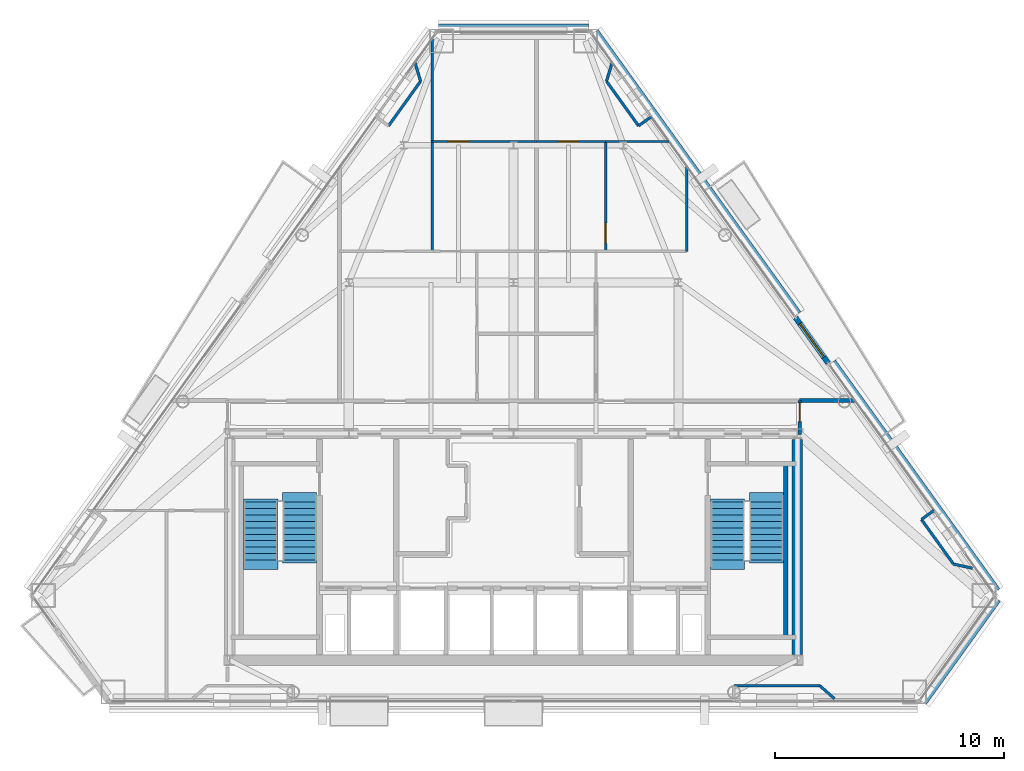
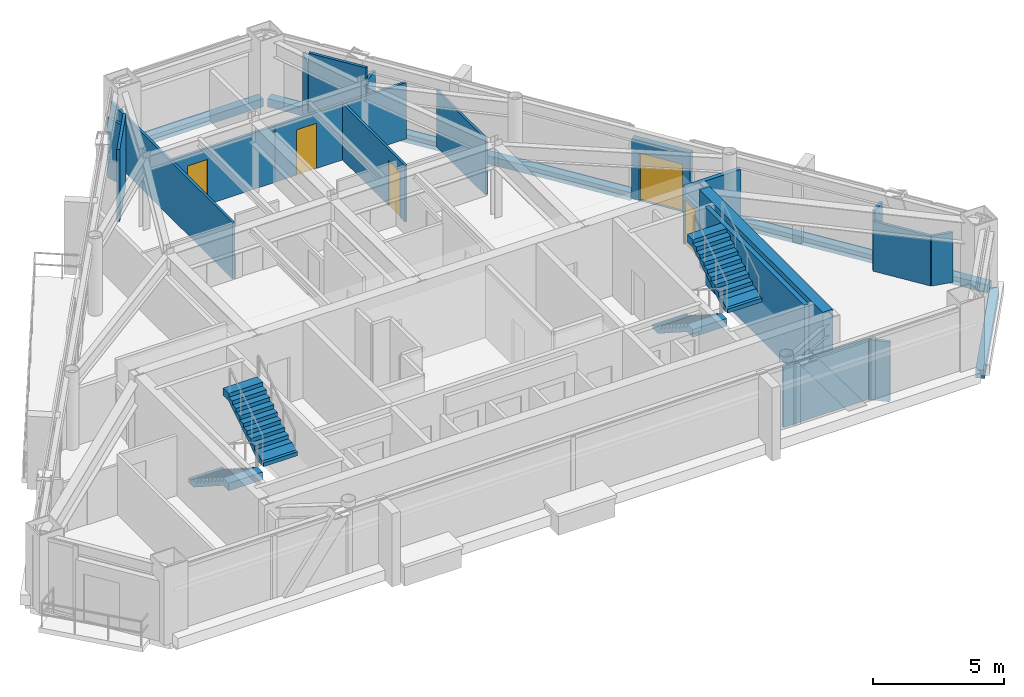
# One storey, part 9 of 11: 25 walls, 5 doors, 4 stair flights, 5 openings, 2 elements without a shape of their own.
"""IFC4 building model written with IfcOpenShell, lengths in metres."""

from ifc_helpers import new_model, si_unit, direction, frame, frame_2d, origin, place, context, subcontext, project, spatial, polyline, rectangle, outline, extrude, material, layer, layer_set, type_object, element, fill, aggregate, save


model = new_model("IFC4")

# Units and contexts
model_context = context("Model", 3, precision=1e-05, world=origin(), true_north=direction((0.0, 1.0)))
body_context = subcontext(model_context, "Body", "Model", "MODEL_VIEW")
ifc_project = project(units=[si_unit("LENGTHUNIT", "METRE"), si_unit("AREAUNIT", "SQUARE_METRE"), si_unit("VOLUMEUNIT", "CUBIC_METRE"), si_unit("PLANEANGLEUNIT", "RADIAN"), si_unit("MASSUNIT", "GRAM", prefix="KILO")], contexts=[model_context])

# Site, building, storey
site_placement = place(None, origin())
site = spatial("IfcSite", under=ifc_project, at=site_placement, CompositionType="ELEMENT")
building_placement = place(site_placement, origin())
building = spatial("IfcBuilding", under=site, at=building_placement, Name="Talgorran Terracotta Tower", CompositionType="ELEMENT")
storey_placement = place(building_placement, frame((0.0, 0.0, 210.89990234375)))
storey = spatial("IfcBuildingStorey", under=building, at=storey_placement, Name="L55", CompositionType="ELEMENT", Elevation=210.89990234375)

# Wall, opening, door
ifc_material_1 = material(Name="Concrete C40/50", Category="concrete")
ifc_layer_1 = layer(ifc_material_1, 0.239990234375, Name="WT_BALCONY_SPAND")
ifc_layer_set_1 = layer_set([ifc_layer_1], Name="Concrete C40/50")
wall_type_1 = type_object("IfcWallType", Name="WT_BALCONY_SPAND", PredefinedType="STANDARD", material=ifc_layer_set_1)
wall_1_placement = place(storey_placement, frame((13.747314453125, -1.119873046875, -0.014892578125), z_axis=(0.0, 0.0, 1.0), x_axis=(-0.58349791381, 0.812114637585, 0.0)))
wall_1 = element("IfcWall", 1, at=wall_1_placement, inside=storey, type_object=wall_type_1, Name="WL-L55-BALP-BAL-NE", PredefinedType="STANDARD", context=body_context, shape_type="SweptSolid", body=[
    extrude(rectangle(XDim=2.440185546875, YDim=0.239990234375, at=frame_2d((1.22021484375, 0.0))), origin(), (0.0, 0.0, 1.0), 2.802001953125),
])
opening_1_placement = place(wall_1_placement, frame((0.320068359375, 0.0, 0.014892578125)))
opening_1 = element("IfcOpeningElement", 2, at=opening_1_placement, cuts=wall_1, Name="Opening D-BAL-L55-1", PredefinedType="OPENING", context=body_context, shape_type="SweptSolid", body=[
    extrude(rectangle(XDim=1.806048828125, YDim=2.203951171875, at=frame_2d((0.89990234375, 1.10205078125))), frame((0.0, 0.1298828125, 0.0), z_axis=(0.0, -1.0, 0.0), x_axis=(1.0, 0.0, 0.0)), (0.0, 0.0, 1.0), 0.260009765625),
])
ifc_material_2 = material(Name="Thermally Broken Aluminium", Category="aluminium")
door_type_1 = type_object("IfcDoorType", Name="DT_BALC_1800", OperationType="SLIDING_TO_LEFT", PredefinedType="DOOR", material=ifc_material_2)
door_1_placement = place(opening_1_placement, origin())
door_1 = element("IfcDoor", 3, at=door_1_placement, inside=storey, type_object=door_type_1, Name="DR-L55-BAL-BAL-NE", OperationType="SLIDING_TO_LEFT", OverallHeight=2.199951171875, OverallWidth=1.800048828125, PredefinedType="DOOR", context=body_context, shape_type="SweptSolid", body=[
    extrude(rectangle(XDim=1.800048828125, YDim=2.199951171875, at=frame_2d((0.89990234375, 1.10009765625))), frame((0.0, 0.02490234375, 0.0), z_axis=(0.0, -1.0, 0.0), x_axis=(1.0, 0.0, 0.0)), (0.0, 0.0, 1.0), 0.050048828125),
])
fill(opening_1, door_1)

# Walls
ifc_material_3 = material(Name="Concrete C50/60", Category="concrete")
ifc_layer_2 = layer(ifc_material_3, 0.199951171875, Name="WT_CORE_200")
ifc_layer_set_2 = layer_set([ifc_layer_2], Name="Concrete C50/60")
wall_type_2 = type_object("IfcWallType", Name="WT_CORE_200", PredefinedType="SOLIDWALL", material=ifc_layer_set_2)
wall_2_placement = place(storey_placement, frame((11.89990234375, -13.10009765625, 0.0), z_axis=(0.0, 0.0, 1.0), x_axis=(0.0, 1.0, 0.0)))
element("IfcWall", 4, at=wall_2_placement, inside=storey, type_object=wall_type_2, Name="WL-L55-CW-ST2-E", PredefinedType="SOLIDWALL", context=body_context, shape_type="SweptSolid", body=[
    extrude(rectangle(XDim=7.580078125, YDim=0.199951171875, at=frame_2d((3.7900390625, 0.0))), origin(), (0.0, 0.0, 1.0), 3.60009765625),
])
ifc_material_4 = material(Name="Concrete C65/80", Category="concrete")
ifc_layer_3 = layer(ifc_material_4, 0.449951171875, Name="WT_CORE_EXT")
ifc_layer_set_3 = layer_set([ifc_layer_3], Name="Concrete C65/80")
wall_type_3 = type_object("IfcWallType", Name="WT_CORE_EXT", PredefinedType="SHEAR", material=ifc_layer_set_3)
wall_3_placement = place(storey_placement, frame((12.39990234375, -13.85009765625, 0.0), z_axis=(0.0, 0.0, 1.0), x_axis=(0.0, 1.0, 0.0)))
element("IfcWall", 5, at=wall_3_placement, inside=storey, type_object=wall_type_3, Name="WL-L55-CW-OUT-E", PredefinedType="SHEAR", context=body_context, shape_type="SweptSolid", body=[
    extrude(rectangle(XDim=9.400146484375, YDim=0.449951171875, at=frame_2d((4.7001953125, 0.0))), origin(), (0.0, 0.0, 1.0), 3.60009765625),
])

# Wall, opening, door
ifc_material_5 = material(Name="Fire-Rated Steel Stud Plasterboard", Category="steel")
ifc_layer_4 = layer(ifc_material_5, 0.14990234375, Name="WT_FIRE_150")
ifc_layer_set_4 = layer_set([ifc_layer_4], Name="Fire-Rated Steel Stud Plasterboard")
wall_type_4 = type_object("IfcWallType", Name="WT_FIRE_150", PredefinedType="PARTITIONING", material=ifc_layer_set_4)
wall_4_placement = place(storey_placement, frame((12.5, -4.239990234375, 0.0), z_axis=(0.0, 0.0, 1.0), x_axis=(0.0, 1.0, 0.0)))
wall_4 = element("IfcWall", 6, at=wall_4_placement, inside=storey, type_object=wall_type_4, Name="WL-L55-W-L55-R02", PredefinedType="PARTITIONING", context=body_context, shape_type="SweptSolid", body=[
    extrude(rectangle(XDim=1.47998046875, YDim=0.14990234375, at=frame_2d((0.739990234375, 0.0))), origin(), (0.0, 0.0, 1.0), 2.320068359375),
])
opening_2_placement = place(wall_4_placement, frame((0.56005859375, 0.0, 0.0)))
opening_2 = element("IfcOpeningElement", 7, at=opening_2_placement, cuts=wall_4, Name="Opening DR-L55-R04", PredefinedType="OPENING", context=body_context, shape_type="SweptSolid", body=[
    extrude(rectangle(XDim=0.826068359375, YDim=2.10409765625, at=frame_2d((0.41015625, 1.052001953125))), frame((0.0, 0.0849609375, 0.0), z_axis=(0.0, -1.0, 0.0), x_axis=(1.0, 0.0, 0.0)), (0.0, 0.0, 1.0), 0.169921875),
])
ifc_material_6 = material(Name="Moisture-Resistant Solid Timber", Category="wood")
door_type_2 = type_object("IfcDoorType", Name="DT_INT_820", OperationType="NOTDEFINED", PredefinedType="DOOR", material=ifc_material_6)
door_2_placement = place(opening_2_placement, origin())
door_2 = element("IfcDoor", 8, at=door_2_placement, inside=storey, type_object=door_type_2, Name="DR-L55-R04", OperationType="SINGLE_SWING_RIGHT", OverallHeight=2.10009765625, OverallWidth=0.820068359375, PredefinedType="DOOR", context=body_context, shape_type="SweptSolid", body=[
    extrude(rectangle(XDim=0.820068359375, YDim=2.10009765625, at=frame_2d((0.41015625, 1.050048828125))), frame((0.0, 0.02490234375, 0.0), z_axis=(0.0, -1.0, 0.0), x_axis=(1.0, 0.0, 0.0)), (0.0, 0.0, 1.0), 0.050048828125),
])
fill(opening_2, door_2)

# Walls
ifc_layer_5 = layer(ifc_material_1, 0.219970703125, Name="WT_PARAPET_RC")
ifc_layer_set_5 = layer_set([ifc_layer_5], Name="Concrete C40/50")
wall_type_5 = type_object("IfcWallType", Name="WT_PARAPET_RC", PredefinedType="PARAPET", material=ifc_layer_set_5)
wall_5_placement = place(storey_placement, frame((17.892578125, -15.925048828125, -0.199951171875), z_axis=(0.0, 0.0, 1.0), x_axis=(0.583537933591, 0.812085882195, 0.0)))
element("IfcWall", 9, at=wall_5_placement, inside=storey, type_object=wall_type_5, Name="L55 Striped Portal Precast Cornice F2", PredefinedType="PARAPET", context=body_context, shape_type="SweptSolid", body=[
    extrude(rectangle(XDim=5.53759765625, YDim=0.360107421875, at=frame_2d((2.768798828125, 0.0))), origin(), (0.0, 0.0, 1.0), 0.380126953125),
])
wall_6_placement = place(storey_placement, frame((21.100830078125, -11.078857421875, -0.199951171875), z_axis=(0.0, 0.0, 1.0), x_axis=(-0.583558674799, 0.81207097785, 0.0)))
element("IfcWall", 10, at=wall_6_placement, inside=storey, type_object=wall_type_5, Name="L55 Striped Portal Precast Cornice F40", PredefinedType="PARAPET", context=body_context, shape_type="SweptSolid", body=[
    extrude(rectangle(XDim=12.28857421875, YDim=0.360107421875, at=frame_2d((6.144287109375, 0.0))), origin(), (0.0, 0.0, 1.0), 0.380126953125),
])
wall_7_placement = place(storey_placement, frame((12.40087890625, 1.028076171875, -0.199951171875), z_axis=(0.0, 0.0, 1.0), x_axis=(-0.58354715866, 0.812079253288, 0.0)))
element("IfcWall", 11, at=wall_7_placement, inside=storey, type_object=wall_type_5, Name="L55 Striped Portal Precast Cornice F41", PredefinedType="PARAPET", context=body_context, shape_type="SweptSolid", body=[
    extrude(rectangle(XDim=15.167724609375, YDim=0.360107421875, at=frame_2d((7.583984375, 0.0))), origin(), (0.0, 0.0, 1.0), 0.380126953125),
])
wall_8_placement = place(storey_placement, frame((3.269775390625, 13.509521484375, -0.199951171875), z_axis=(0.0, 0.0, 1.0), x_axis=(-1.0, 0.0, 0.0)))
element("IfcWall", 12, at=wall_8_placement, inside=storey, type_object=wall_type_5, Name="L55 Striped Portal Precast Cornice F4", PredefinedType="PARAPET", context=body_context, shape_type="SweptSolid", body=[
    extrude(rectangle(XDim=6.53955078125, YDim=0.360107421875, at=frame_2d((3.269775390625, 0.0))), origin(), (0.0, 0.0, 1.0), 0.380126953125),
])
ifc_material_7 = material(Name="Acoustic Stud and Plasterboard")
ifc_layer_6 = layer(ifc_material_7, 0.179931640625, Name="WT_PARTY_200")
ifc_layer_set_6 = layer_set([ifc_layer_6], Name="Acoustic Stud and Plasterboard")
wall_type_6 = type_object("IfcWallType", Name="WT_PARTY_200", PredefinedType="PARTITIONING", material=ifc_layer_set_6)
wall_9_placement = place(storey_placement, frame((12.5, -2.760009765625, 0.0), z_axis=(0.0, 0.0, 1.0), x_axis=(1.0, 0.0, 0.0)))
element("IfcWall", 13, at=wall_9_placement, inside=storey, type_object=wall_type_6, Name="WL-L55-W-L55-R12", PredefinedType="PARTITIONING", context=body_context, shape_type="SweptSolid", body=[
    extrude(rectangle(XDim=2.426025390625, YDim=0.179931640625, at=frame_2d((1.212890625, 0.0))), origin(), (0.0, 0.0, 1.0), 2.6201171875),
])
ifc_material_8 = material(Name="Lightweight Steel Stud Partition", Category="steel")
ifc_layer_7 = layer(ifc_material_8, 0.10498046875, Name="WT_PART_110")
ifc_layer_set_7 = layer_set([ifc_layer_7], Name="Lightweight Steel Stud Partition")
wall_type_7 = type_object("IfcWallType", Name="WT_PART_110", PredefinedType="PARTITIONING", material=ifc_layer_set_7)
wall_10_placement = place(storey_placement, frame((-3.56005859375, 3.760009765625, 0.0), z_axis=(0.0, 0.0, 1.0), x_axis=(0.0, 1.0, 0.0)))
element("IfcWall", 14, at=wall_10_placement, inside=storey, type_object=wall_type_7, Name="WL-L55-W-L55-R23", PredefinedType="PARTITIONING", context=body_context, shape_type="SweptSolid", body=[
    extrude(rectangle(XDim=9.297119140625, YDim=0.10498046875, at=frame_2d((4.6484375, 0.0))), origin(), (0.0, 0.0, 1.0), 2.6201171875),
])

# Wall, opening, door
wall_11_placement = place(storey_placement, frame((4.02001953125, 3.760009765625, 0.0), z_axis=(0.0, 0.0, 1.0), x_axis=(0.0, 1.0, 0.0)))
wall_11 = element("IfcWall", 15, at=wall_11_placement, inside=storey, type_object=wall_type_7, Name="WL-L55-W-L55-R35", PredefinedType="PARTITIONING", context=body_context, shape_type="SweptSolid", body=[
    extrude(rectangle(XDim=4.800048828125, YDim=0.10498046875, at=frame_2d((2.39990234375, 0.0))), origin(), (0.0, 0.0, 1.0), 2.6201171875),
])
opening_3_placement = place(wall_11_placement, frame((0.357421875, 0.0, 0.0)))
opening_3 = element("IfcOpeningElement", 16, at=opening_3_placement, cuts=wall_11, Name="Opening DR-L55-R16", PredefinedType="OPENING", context=body_context, shape_type="SweptSolid", body=[
    extrude(rectangle(XDim=0.8858828125, YDim=2.10409765625, at=frame_2d((0.43994140625, 1.052001953125))), frame((0.0, 0.0625, 0.0), z_axis=(0.0, -1.0, 0.0), x_axis=(1.0, 0.0, 0.0)), (0.0, 0.0, 1.0), 0.125),
])
ifc_material_9 = material(Name="Solid-Core Painted Timber", Category="wood")
door_type_3 = type_object("IfcDoorType", Name="DT_INT_880", OperationType="NOTDEFINED", PredefinedType="DOOR", material=ifc_material_9)
door_3_placement = place(opening_3_placement, origin())
door_3 = element("IfcDoor", 17, at=door_3_placement, inside=storey, type_object=door_type_3, Name="DR-L55-R16", OperationType="SINGLE_SWING_RIGHT", OverallHeight=2.10009765625, OverallWidth=0.8798828125, PredefinedType="DOOR", context=body_context, shape_type="SweptSolid", body=[
    extrude(rectangle(XDim=0.8798828125, YDim=2.10009765625, at=frame_2d((0.43994140625, 1.050048828125))), frame((0.0, 0.02490234375, 0.0), z_axis=(0.0, -1.0, 0.0), x_axis=(1.0, 0.0, 0.0)), (0.0, 0.0, 1.0), 0.050048828125),
])
fill(opening_3, door_3)

wall_12_placement = place(storey_placement, frame((-3.56005859375, 8.56005859375, 0.0), z_axis=(0.0, 0.0, 1.0), x_axis=(1.0, 0.0, 0.0)))
wall_12 = element("IfcWall", 18, at=wall_12_placement, inside=storey, type_object=wall_type_7, Name="WL-L55-W-L55-R25", PredefinedType="PARTITIONING", context=body_context, shape_type="SweptSolid", body=[
    extrude(rectangle(XDim=4.56005859375, YDim=0.10498046875, at=frame_2d((2.280029296875, 0.0))), origin(), (0.0, 0.0, 1.0), 2.6201171875),
])
opening_4_placement = place(wall_12_placement, frame((0.713134765625, 0.0, 0.0)))
opening_4 = element("IfcOpeningElement", 19, at=opening_4_placement, cuts=wall_12, Name="Opening DR-L55-R11", PredefinedType="OPENING", context=body_context, shape_type="SweptSolid", body=[
    extrude(rectangle(XDim=0.8858828125, YDim=2.10409765625, at=frame_2d((0.43994140625, 1.052001953125))), frame((0.0, 0.0625, 0.0), z_axis=(0.0, -1.0, 0.0), x_axis=(1.0, 0.0, 0.0)), (0.0, 0.0, 1.0), 0.125),
])
door_4_placement = place(opening_4_placement, origin())
door_4 = element("IfcDoor", 20, at=door_4_placement, inside=storey, type_object=door_type_3, Name="DR-L55-R11", OperationType="SINGLE_SWING_LEFT", OverallHeight=2.10009765625, OverallWidth=0.8798828125, PredefinedType="DOOR", context=body_context, shape_type="SweptSolid", body=[
    extrude(rectangle(XDim=0.8798828125, YDim=2.10009765625, at=frame_2d((0.43994140625, 1.050048828125))), frame((0.0, 0.02490234375, 0.0), z_axis=(0.0, -1.0, 0.0), x_axis=(1.0, 0.0, 0.0)), (0.0, 0.0, 1.0), 0.050048828125),
])
fill(opening_4, door_4)

# Wall
wall_13_placement = place(storey_placement, frame((7.56005859375, 3.760009765625, 0.0), z_axis=(0.0, 0.0, 1.0), x_axis=(0.0, 1.0, 0.0)))
element("IfcWall", 21, at=wall_13_placement, inside=storey, type_object=wall_type_7, Name="WL-L55-W-L55-R34", PredefinedType="PARTITIONING", context=body_context, shape_type="SweptSolid", body=[
    extrude(rectangle(XDim=3.73046875, YDim=0.10498046875, at=frame_2d((1.865234375, 0.0))), origin(), (0.0, 0.0, 1.0), 2.6201171875),
])

# Wall, opening, door
wall_14_placement = place(storey_placement, frame((1.0, 8.56005859375, 0.0), z_axis=(0.0, 0.0, 1.0), x_axis=(1.0, 0.0, 0.0)))
wall_14 = element("IfcWall", 22, at=wall_14_placement, inside=storey, type_object=wall_type_7, Name="WL-L55-W-L55-R36", PredefinedType="PARTITIONING", context=body_context, shape_type="SweptSolid", body=[
    extrude(rectangle(XDim=3.02001953125, YDim=0.10498046875, at=frame_2d((1.510009765625, 0.0))), origin(), (0.0, 0.0, 1.0), 2.6201171875),
])
opening_5_placement = place(wall_14_placement, frame((0.951171875, 0.0, 0.0)))
opening_5 = element("IfcOpeningElement", 23, at=opening_5_placement, cuts=wall_14, Name="Opening DR-L55-R15", PredefinedType="OPENING", context=body_context, shape_type="SweptSolid", body=[
    extrude(rectangle(XDim=0.8858828125, YDim=2.10409765625, at=frame_2d((0.43994140625, 1.052001953125))), frame((0.0, 0.0625, 0.0), z_axis=(0.0, -1.0, 0.0), x_axis=(1.0, 0.0, 0.0)), (0.0, 0.0, 1.0), 0.125),
])
door_5_placement = place(opening_5_placement, origin())
door_5 = element("IfcDoor", 24, at=door_5_placement, inside=storey, type_object=door_type_3, Name="DR-L55-R15", OperationType="SINGLE_SWING_LEFT", OverallHeight=2.10009765625, OverallWidth=0.8798828125, PredefinedType="DOOR", context=body_context, shape_type="SweptSolid", body=[
    extrude(rectangle(XDim=0.8798828125, YDim=2.10009765625, at=frame_2d((0.43994140625, 1.050048828125))), frame((0.0, 0.02490234375, 0.0), z_axis=(0.0, -1.0, 0.0), x_axis=(1.0, 0.0, 0.0)), (0.0, 0.0, 1.0), 0.050048828125),
])
fill(opening_5, door_5)

# Walls
wall_15_placement = place(storey_placement, frame((4.02001953125, 8.56005859375, 0.0), z_axis=(0.0, 0.0, 1.0), x_axis=(1.0, 0.0, 0.0)))
element("IfcWall", 25, at=wall_15_placement, inside=storey, type_object=wall_type_7, Name="WL-L55-W-L55-R37", PredefinedType="PARTITIONING", context=body_context, shape_type="SweptSolid", body=[
    extrude(rectangle(XDim=2.771484375, YDim=0.10498046875, at=frame_2d((1.3857421875, 0.0))), origin(), (0.0, 0.0, 1.0), 2.6201171875),
])
ifc_material_10 = material(Name="Insulated Steel Stud Plasterboard", Category="steel")
ifc_layer_8 = layer(ifc_material_10, 0.1201171875, Name="WT_PART_120")
ifc_layer_set_8 = layer_set([ifc_layer_8], Name="Insulated Steel Stud Plasterboard")
wall_type_8 = type_object("IfcWallType", Name="WT_PART_120", PredefinedType="PARTITIONING", material=ifc_layer_set_8)
wall_16_placement = place(storey_placement, frame((9.623291015625, -15.216796875, 0.0), z_axis=(0.0, 0.0, 1.0), x_axis=(1.0, 0.0, 0.0)))
element("IfcWall", 26, at=wall_16_placement, inside=storey, type_object=wall_type_8, Name="WL-L55-BW-L55-06", PredefinedType="PARTITIONING", context=body_context, shape_type="SweptSolid", body=[
    extrude(rectangle(XDim=3.75732421875, YDim=0.1201171875, at=frame_2d((1.878662109375, 0.0))), origin(), (0.0, 0.0, 1.0), 2.787109375),
])
wall_17_placement = place(storey_placement, frame((19.220703125, -9.901611328125, 0.0), z_axis=(0.0, 0.0, 1.0), x_axis=(-0.583583646273, 0.81205303263, 0.0)))
element("IfcWall", 27, at=wall_17_placement, inside=storey, type_object=wall_type_8, Name="WL-L55-BW-L55-12", PredefinedType="PARTITIONING", context=body_context, shape_type="SweptSolid", body=[
    extrude(rectangle(XDim=2.400146484375, YDim=0.1201171875, at=frame_2d((1.2001953125, 0.0))), origin(), (0.0, 0.0, 1.0), 2.320068359375),
])
for number, where, z_axis, x_axis, name in (
    (28, (-4.06103515625, 11.194580078125, 0.0), (0.0, 0.0, 1.0), (-0.583516561227, -0.812101239239, 0.0), "WL-L55-BW-L55-14"),
    (29, (5.46142578125, 9.24560546875, 0.0), (0.0, 0.0, 1.0), (-0.583516561227, 0.812101239239, 0.0), "WL-L55-BW-L55-17"),
):
    element("IfcWall", number, at=place(storey_placement, frame(where, z_axis=z_axis, x_axis=x_axis)), inside=storey, type_object=wall_type_8, Name=name, PredefinedType="PARTITIONING", context=body_context, shape_type="SweptSolid", body=[
        extrude(rectangle(XDim=2.39990234375, YDim=0.1201171875, at=frame_2d((1.199951171875, 0.0))), origin(), (0.0, 0.0, 1.0), 3.34521484375),
    ])
wall_18_placement = place(storey_placement, frame((13.380615234375, -15.216796875, 0.0), z_axis=(0.0, 0.0, 1.0), x_axis=(0.749620225682, -0.661868202324, 0.0)))
element("IfcWall", 30, at=wall_18_placement, inside=storey, type_object=wall_type_8, Name="WL-L55-BW-L55-04", PredefinedType="PARTITIONING", context=body_context, shape_type="SweptSolid", body=[
    extrude(rectangle(XDim=0.851318359375, YDim=0.1201171875, at=frame_2d((0.42578125, 0.0))), origin(), (0.0, 0.0, 1.0), 2.787109375),
])
wall_19_placement = place(storey_placement, frame((20.051513671875, -10.08544921875, 0.0), z_axis=(0.0, 0.0, 1.0), x_axis=(-0.976382442069, 0.216049361998, 0.0)))
element("IfcWall", 31, at=wall_19_placement, inside=storey, type_object=wall_type_8, Name="WL-L55-BW-L55-11", PredefinedType="PARTITIONING", context=body_context, shape_type="SweptSolid", body=[
    extrude(rectangle(XDim=0.850830078125, YDim=0.1201171875, at=frame_2d((0.42529296875, 0.0))), origin(), (0.0, 0.0, 1.0), 2.320068359375),
])
for number, where, z_axis, x_axis, name in (
    (32, (-4.305419921875, 12.002685546875, 0.0), (0.0, 0.0, 1.0), (0.289469605247, -0.957187206161, 0.0), "WL-L55-BW-L55-13"),
    (33, (4.06103515625, 11.194580078125, 0.0), (0.0, 0.0, 1.0), (0.289469605247, 0.957187206161, 0.0), "WL-L55-BW-L55-18"),
):
    element("IfcWall", number, at=place(storey_placement, frame(where, z_axis=z_axis, x_axis=x_axis)), inside=storey, type_object=wall_type_8, Name=name, PredefinedType="PARTITIONING", context=body_context, shape_type="SweptSolid", body=[
        extrude(rectangle(XDim=0.84423828125, YDim=0.1201171875, at=frame_2d((0.422119140625, 0.0))), origin(), (0.0, 0.0, 1.0), 2.787109375),
    ])
wall_20_placement = place(storey_placement, frame((17.820068359375, -7.95263671875, 0.0), z_axis=(0.0, 0.0, 1.0), x_axis=(0.811907418628, 0.583786213932, 0.0)))
element("IfcWall", 34, at=wall_20_placement, inside=storey, type_object=wall_type_8, Name="WL-L55-BW-L55-10", PredefinedType="PARTITIONING", context=body_context, shape_type="SweptSolid", body=[
    extrude(rectangle(XDim=0.669921875, YDim=0.1201171875, at=frame_2d((0.3349609375, 0.0))), origin(), (0.0, 0.0, 1.0), 2.787109375),
])
wall_21_placement = place(storey_placement, frame((6.005615234375, 9.63671875, 0.0), z_axis=(0.0, 0.0, 1.0), x_axis=(-0.812031557065, -0.583613528227, 0.0)))
element("IfcWall", 35, at=wall_21_placement, inside=storey, type_object=wall_type_8, Name="WL-L55-BW-L55-16", PredefinedType="PARTITIONING", context=body_context, shape_type="SweptSolid", body=[
    extrude(rectangle(XDim=0.670166015625, YDim=0.1201171875, at=frame_2d((0.3349609375, 0.0))), origin(), (0.0, 0.0, 1.0), 2.787109375),
])

# Stair, stair flights
stair_type = type_object("IfcStairType", Name="ST_FIRE_SCISSOR", PredefinedType="HALF_TURN_STAIR", material=ifc_material_1)
stair_1_placement = place(storey_placement, origin())
stair_1 = element("IfcStair", 36, at=stair_1_placement, inside=storey, type_object=stair_type, Name="L55 West Protected Fire Stair ST-01", PredefinedType="HALF_TURN_STAIR")
ifc_layer_9 = layer(ifc_material_1, 0.179931640625, Name="STF_RC_1500")
ifc_layer_set_9 = layer_set([ifc_layer_9], Name="Concrete C40/50")
stair_flight_type = type_object("IfcStairFlightType", Name="STF_RC_1500", PredefinedType="STRAIGHT", material=ifc_layer_set_9)
stair_flight_1_placement = place(storey_placement, frame((-11.050048828125, -7.199951171875, 0.0), z_axis=(0.0, 0.0, 1.0), x_axis=(0.0, -1.0, 0.0)))
stair_flight_1 = element("IfcStairFlight", 37, at=stair_flight_1_placement, type_object=stair_flight_type, Name="ST-01 flight 1", NumberOfRisers=10, NumberOfTreads=9, PredefinedType="STRAIGHT", RiserHeight=0.18, TreadLength=0.28, context=body_context, shape_type="SweptSolid", body=[
    extrude(outline(polyline([(-0.139892578125, 0.0), (-0.139892578125, 0.179931640625), (0.0, 0.179931640625), (0.280029296875, 0.360107421875), (0.56005859375, 0.360107421875), (0.56005859375, 0.5400390625), (0.840087890625, 0.5400390625), (0.840087890625, 0.719970703125), (1.1201171875, 0.719970703125), (1.1201171875, 0.89990234375), (1.39990234375, 0.89990234375), (1.39990234375, 1.080078125), (1.679931640625, 1.080078125), (1.679931640625, 1.260009765625), (1.9599609375, 1.260009765625), (1.9599609375, 1.43994140625), (2.239990234375, 1.43994140625), (2.239990234375, 1.6201171875), (2.52001953125, 1.6201171875), (2.52001953125, 1.800048828125), (2.93994140625, 1.800048828125), (2.93994140625, 1.44189453125), (2.52001953125, 1.44189453125), (0.277099609375, 0.0), (-0.139892578125, 0.0)])), frame((0.0, 0.75, 0.0), z_axis=(0.0, -1.0, 0.0), x_axis=(1.0, 0.0, 0.0)), (0.0, 0.0, 1.0), 1.5),
])
stair_flight_2_placement = place(storey_placement, frame((-9.35009765625, -9.719970703125, 1.800048828125), z_axis=(0.0, 0.0, 1.0), x_axis=(0.0, 1.0, 0.0)))
stair_flight_2 = element("IfcStairFlight", 38, at=stair_flight_2_placement, type_object=stair_flight_type, Name="ST-01 flight 2", NumberOfRisers=10, NumberOfTreads=9, PredefinedType="STRAIGHT", RiserHeight=0.18, TreadLength=0.28, context=body_context, shape_type="SweptSolid", body=[
    extrude(outline(polyline([(-0.139892578125, 0.0), (-0.139892578125, 0.179931640625), (0.0, 0.179931640625), (0.280029296875, 0.360107421875), (0.56005859375, 0.360107421875), (0.56005859375, 0.5400390625), (0.840087890625, 0.5400390625), (0.840087890625, 0.719970703125), (1.1201171875, 0.719970703125), (1.1201171875, 0.89990234375), (1.39990234375, 0.89990234375), (1.39990234375, 1.080078125), (1.679931640625, 1.080078125), (1.679931640625, 1.260009765625), (1.9599609375, 1.260009765625), (1.9599609375, 1.43994140625), (2.239990234375, 1.43994140625), (2.239990234375, 1.6201171875), (2.52001953125, 1.6201171875), (2.52001953125, 1.800048828125), (2.93994140625, 1.800048828125), (2.93994140625, 1.44189453125), (2.52001953125, 1.44189453125), (0.277099609375, 0.0), (-0.139892578125, 0.0)])), frame((0.0, 0.75, 0.0), z_axis=(0.0, -1.0, 0.0), x_axis=(1.0, 0.0, 0.0)), (0.0, 0.0, 1.0), 1.5),
])
aggregate(stair_1, [stair_flight_1, stair_flight_2])

stair_2_placement = place(storey_placement, origin())
stair_2 = element("IfcStair", 39, at=stair_2_placement, inside=storey, type_object=stair_type, Name="L55 East Protected Fire Stair ST-02", PredefinedType="HALF_TURN_STAIR")
stair_flight_3_placement = place(storey_placement, frame((9.35009765625, -7.199951171875, 0.0), z_axis=(0.0, 0.0, 1.0), x_axis=(0.0, -1.0, 0.0)))
stair_flight_3 = element("IfcStairFlight", 40, at=stair_flight_3_placement, type_object=stair_flight_type, Name="ST-02 flight 1", NumberOfRisers=10, NumberOfTreads=9, PredefinedType="STRAIGHT", RiserHeight=0.18, TreadLength=0.28, context=body_context, shape_type="SweptSolid", body=[
    extrude(outline(polyline([(-0.139892578125, 0.0), (-0.139892578125, 0.179931640625), (0.0, 0.179931640625), (0.280029296875, 0.360107421875), (0.56005859375, 0.360107421875), (0.56005859375, 0.5400390625), (0.840087890625, 0.5400390625), (0.840087890625, 0.719970703125), (1.1201171875, 0.719970703125), (1.1201171875, 0.89990234375), (1.39990234375, 0.89990234375), (1.39990234375, 1.080078125), (1.679931640625, 1.080078125), (1.679931640625, 1.260009765625), (1.9599609375, 1.260009765625), (1.9599609375, 1.43994140625), (2.239990234375, 1.43994140625), (2.239990234375, 1.6201171875), (2.52001953125, 1.6201171875), (2.52001953125, 1.800048828125), (2.93994140625, 1.800048828125), (2.93994140625, 1.44189453125), (2.52001953125, 1.44189453125), (0.277099609375, 0.0), (-0.139892578125, 0.0)])), frame((0.0, 0.75, 0.0), z_axis=(0.0, -1.0, 0.0), x_axis=(1.0, 0.0, 0.0)), (0.0, 0.0, 1.0), 1.5),
])
stair_flight_4_placement = place(storey_placement, frame((11.050048828125, -9.719970703125, 1.800048828125), z_axis=(0.0, 0.0, 1.0), x_axis=(0.0, 1.0, 0.0)))
stair_flight_4 = element("IfcStairFlight", 41, at=stair_flight_4_placement, type_object=stair_flight_type, Name="ST-02 flight 2", NumberOfRisers=10, NumberOfTreads=9, PredefinedType="STRAIGHT", RiserHeight=0.18, TreadLength=0.28, context=body_context, shape_type="SweptSolid", body=[
    extrude(outline(polyline([(-0.139892578125, 0.0), (-0.139892578125, 0.179931640625), (0.0, 0.179931640625), (0.280029296875, 0.360107421875), (0.56005859375, 0.360107421875), (0.56005859375, 0.5400390625), (0.840087890625, 0.5400390625), (0.840087890625, 0.719970703125), (1.1201171875, 0.719970703125), (1.1201171875, 0.89990234375), (1.39990234375, 0.89990234375), (1.39990234375, 1.080078125), (1.679931640625, 1.080078125), (1.679931640625, 1.260009765625), (1.9599609375, 1.260009765625), (1.9599609375, 1.43994140625), (2.239990234375, 1.43994140625), (2.239990234375, 1.6201171875), (2.52001953125, 1.6201171875), (2.52001953125, 1.800048828125), (2.93994140625, 1.800048828125), (2.93994140625, 1.44189453125), (2.52001953125, 1.44189453125), (0.277099609375, 0.0), (-0.139892578125, 0.0)])), frame((0.0, 0.75, 0.0), z_axis=(0.0, -1.0, 0.0), x_axis=(1.0, 0.0, 0.0)), (0.0, 0.0, 1.0), 1.5),
])
aggregate(stair_2, [stair_flight_3, stair_flight_4])

save(model, "model.ifc")
